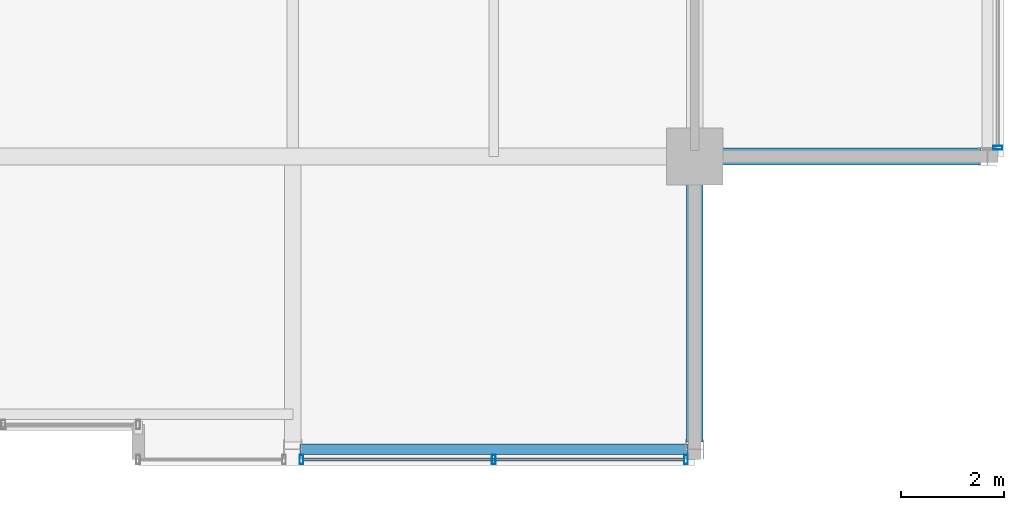
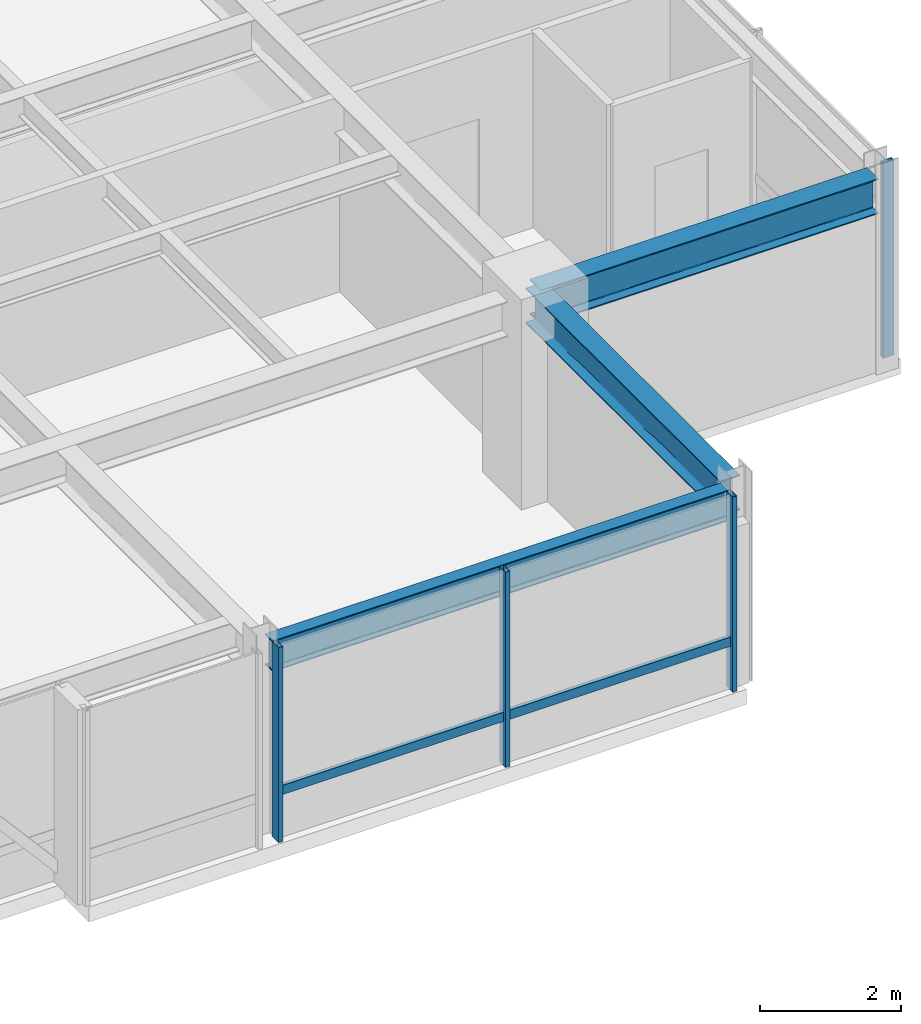
# One storey, part 15 of 33: 5 members, 3 beams, 2 elements without a shape of their own.
"""IFC4 building model written with IfcOpenShell, lengths in metres."""

from ifc_helpers import new_model, si_unit, direction, frame, origin, origin_2d, place, context, subcontext, project, spatial, hollow_rectangle, i_section, extrude, material, layer, layer_set, material_profile, profile_set, type_object, element, aggregate, save


model = new_model("IFC4")

# Units and contexts
model_context = context("Model", 3, precision=1e-05, world=origin(), true_north=direction((0.0, 1.0)))
body_context = subcontext(model_context, "Body", "Model", "MODEL_VIEW")
ifc_project = project(units=[si_unit("LENGTHUNIT", "METRE"), si_unit("AREAUNIT", "SQUARE_METRE"), si_unit("VOLUMEUNIT", "CUBIC_METRE"), si_unit("PLANEANGLEUNIT", "RADIAN"), si_unit("MASSUNIT", "GRAM", prefix="KILO")], contexts=[model_context])

# Site, building, storey
site_placement = place(None, origin())
site = spatial("IfcSite", under=ifc_project, at=site_placement, CompositionType="ELEMENT")
building_placement = place(site_placement, origin())
building = spatial("IfcBuilding", under=site, at=building_placement, Name="Drelvath Grand Hotel", CompositionType="ELEMENT")
storey_placement = place(building_placement, frame((0.0, 0.0, 279.60009765625)))
storey = spatial("IfcBuildingStorey", under=building, at=storey_placement, Name="L73", CompositionType="ELEMENT", Elevation=279.60009765625)

# Curtain wall, member
ifc_material_1 = material(Name="Platinum-Mist Anodised Aluminium Frame", Category="aluminium")
ifc_layer = layer(ifc_material_1, 0.199951171875)
ifc_layer_set = layer_set([ifc_layer], Name="Platinum-Mist Anodised Aluminium Frame")
curtain_wall_type = type_object("IfcCurtainWallType", Name="Stick Curtain Wall CW-05 Platinum Mist High-Rise", PredefinedType="NOTDEFINED", material=ifc_layer_set)
curtain_wall_1_placement = place(storey_placement, origin())
curtain_wall_1 = element("IfcCurtainWall", 1, at=curtain_wall_1_placement, inside=storey, type_object=curtain_wall_type, Name="L73 CW-05 Curtain Wall CW05-L73-SE2", PredefinedType="NOTDEFINED")
ifc_material_profile_1 = material_profile(ifc_material_1, hollow_rectangle(XDim=0.06494140625, YDim=0.159912109375, WallThickness=0.00390625, at=origin_2d()), Name="HSS160X65X4")
ifc_profile_set_1 = profile_set([ifc_material_profile_1], Name="Platinum-Mist Anodised Aluminium Frame")
member_type_1 = type_object("IfcMemberType", Name="Curtain Wall Horizontal Transom CW-05 HSS160X65X4", PredefinedType="USERDEFINED", material=ifc_profile_set_1)
member_1_placement = place(storey_placement, frame((15.989990234375, 4.919921875, 0.847412109375), z_axis=(-1.0, 0.0, 0.0), x_axis=(0.0, -1.0, 0.0)))
member_1 = element("IfcMember", 2, at=member_1_placement, type_object=member_type_1, Name="CW05-L73-SE2 Sill Transom", ObjectType="TRANSOM", PredefinedType="USERDEFINED", context=body_context, shape_type="SweptSolid", body=[
    extrude(hollow_rectangle(XDim=0.06494140625, YDim=0.159912109375, WallThickness=0.00390625, at=origin_2d()), origin(), (0.0, 0.0, 1.0), 7.3798828125),
])

curtain_wall_2_placement = place(storey_placement, origin())
curtain_wall_2 = element("IfcCurtainWall", 3, at=curtain_wall_2_placement, inside=storey, type_object=curtain_wall_type, Name="L73 CW-05 Curtain Wall CW05-L73-ES1", PredefinedType="NOTDEFINED")
ifc_material_profile_2 = material_profile(ifc_material_1, hollow_rectangle(XDim=0.074951171875, YDim=0.179931640625, WallThickness=0.0048828125, at=origin_2d()), Name="HSS180X75X5")
ifc_profile_set_2 = profile_set([ifc_material_profile_2], Name="Platinum-Mist Anodised Aluminium Frame")
member_type_2 = type_object("IfcMemberType", Name="Curtain Wall Vertical Mullion CW-05 HSS180X75X5", PredefinedType="MULLION", material=ifc_profile_set_2)
member_2_placement = place(storey_placement, frame((22.080078125, 10.97021484375, 0.0), z_axis=(0.0, 0.0, 1.0), x_axis=(0.0, 1.0, 0.0)))
member_2 = element("IfcMember", 4, at=member_2_placement, type_object=member_type_2, Name="CW05-L73-ES1 Mullion 3", PredefinedType="MULLION", context=body_context, shape_type="SweptSolid", body=[
    extrude(hollow_rectangle(XDim=0.074951171875, YDim=0.179931640625, WallThickness=0.0048828125, at=origin_2d()), origin(), (0.0, 0.0, 1.0), 3.389892578125),
])
aggregate(curtain_wall_2, [member_2])

# Member
member_3_placement = place(storey_placement, frame((16.02978515625, 4.919921875, 0.0), z_axis=(0.0, 0.0, 1.0), x_axis=(1.0, 0.0, 0.0)))
member_3 = element("IfcMember", 5, at=member_3_placement, type_object=member_type_2, Name="CW05-L73-SE2 Mullion 1", PredefinedType="MULLION", context=body_context, shape_type="SweptSolid", body=[
    extrude(hollow_rectangle(XDim=0.074951171875, YDim=0.179931640625, WallThickness=0.0048828125, at=origin_2d()), origin(), (0.0, 0.0, 1.0), 3.389892578125),
])

member_4_placement = place(storey_placement, frame((12.300048828125, 4.919921875, 0.0), z_axis=(0.0, 0.0, 1.0), x_axis=(1.0, 0.0, 0.0)))
member_4 = element("IfcMember", 6, at=member_4_placement, type_object=member_type_2, Name="CW05-L73-SE2 Mullion 2", PredefinedType="MULLION", context=body_context, shape_type="SweptSolid", body=[
    extrude(hollow_rectangle(XDim=0.074951171875, YDim=0.179931640625, WallThickness=0.0048828125, at=origin_2d()), origin(), (0.0, 0.0, 1.0), 3.389892578125),
])

member_5_placement = place(storey_placement, frame((8.570068359375, 4.919921875, 0.0), z_axis=(0.0, 0.0, 1.0), x_axis=(1.0, 0.0, 0.0)))
member_5 = element("IfcMember", 7, at=member_5_placement, type_object=member_type_2, Name="CW05-L73-SE2 Mullion 3", PredefinedType="MULLION", context=body_context, shape_type="SweptSolid", body=[
    extrude(hollow_rectangle(XDim=0.074951171875, YDim=0.179931640625, WallThickness=0.0048828125, at=origin_2d()), origin(), (0.0, 0.0, 1.0), 3.389892578125),
])

aggregate(curtain_wall_1, [member_3, member_4, member_5, member_1])

# Beams
ifc_material_2 = material(Name="Steel ASTM A992 Gr 50", Category="steel")
ifc_material_profile_3 = material_profile(ifc_material_2, i_section(OverallWidth=0.210205078125, OverallDepth=0.53662109375, WebThickness=0.010986328125, FlangeThickness=0.017333984375, FilletRadius=0.01806640625, at=origin_2d()), Name="W21X68")
ifc_profile_set_3 = profile_set([ifc_material_profile_3], Name="Steel ASTM A992 Gr 50")
beam_type_1 = type_object("IfcBeamType", Name="Perimeter Spandrel Beam W21X68", PredefinedType="SPANDREL", material=ifc_profile_set_3)
beam_placement = place(storey_placement, frame((8.5400390625, 5.1201171875, 3.12158203125), z_axis=(1.0, 0.0, 0.0), x_axis=(0.0, 1.0, 0.0)))
element("IfcBeam", 8, at=beam_placement, inside=storey, type_object=beam_type_1, Name="L73 Spandrel South E", PredefinedType="SPANDREL", context=body_context, shape_type="SweptSolid", body=[
    extrude(i_section(OverallWidth=0.210205078125, OverallDepth=0.53662109375, WebThickness=0.010986328125, FlangeThickness=0.017333984375, FilletRadius=0.01806640625, at=origin_2d()), origin(), (0.0, 0.0, 1.0), 7.52001953125),
])
ifc_material_profile_4 = material_profile(ifc_material_2, i_section(OverallWidth=0.323974609375, OverallDepth=0.611083984375, WebThickness=0.0126953125, FlangeThickness=0.01904296875, FilletRadius=0.02197265625, at=origin_2d()), Name="W24X104")
ifc_profile_set_4 = profile_set([ifc_material_profile_4], Name="Steel ASTM A992 Gr 50")
beam_type_2 = type_object("IfcBeamType", Name="Primary Floor Girder W24X104", PredefinedType="BEAM", material=ifc_profile_set_4)
for number, where, z_axis, x_axis, name in (
    (9, (16.199951171875, 10.800048828125, 3.08447265625), (1.0, 0.0, 0.0), (0.0, 1.0, 0.0), "L73 East Grid Girder C"),
    (10, (16.199951171875, 5.260009765625, 3.08447265625), (0.0, 1.0, 0.0), (-1.0, 0.0, 0.0), "L73 South Grid Girder 7"),
):
    element("IfcBeam", number, at=place(storey_placement, frame(where, z_axis=z_axis, x_axis=x_axis)), inside=storey, type_object=beam_type_2, Name=name, PredefinedType="BEAM", context=body_context, shape_type="SweptSolid", body=[
        extrude(i_section(OverallWidth=0.323974609375, OverallDepth=0.611083984375, WebThickness=0.0126953125, FlangeThickness=0.01904296875, FilletRadius=0.02197265625, at=origin_2d()), origin(), (0.0, 0.0, 1.0), 5.5400390625),
    ])

save(model, "model.ifc")
